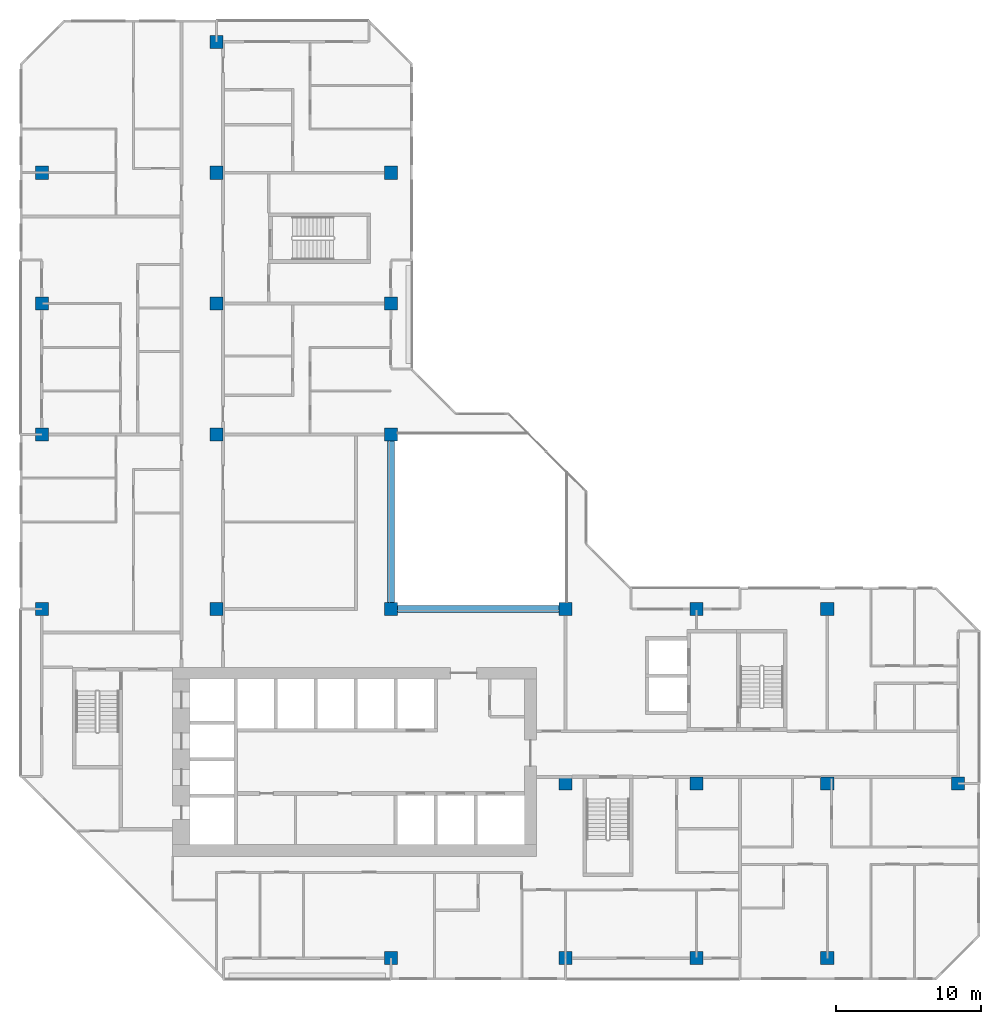
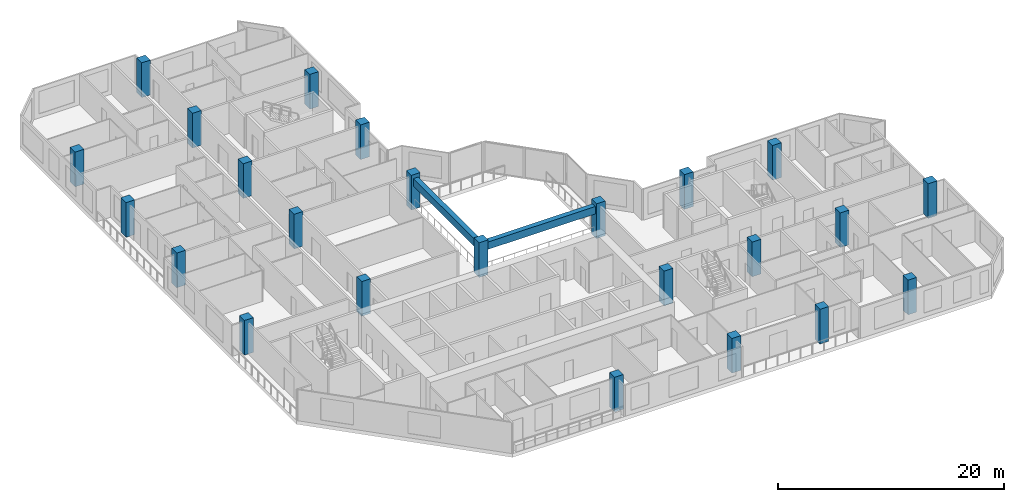
# One storey, part 1 of 14: 24 columns, 2 beams.
"""IFC4 building model written with IfcOpenShell, lengths in metres."""

from ifc_helpers import new_model, si_unit, direction, frame, origin, origin_2d, place, context, subcontext, project, spatial, rectangle, extrude, material, material_profile, profile_set, type_object, element, save


model = new_model("IFC4")

# Units and contexts
model_context = context("Model", 3, precision=1e-05, world=origin(), true_north=direction((0.0, 1.0)))
body_context = subcontext(model_context, "Body", "Model", "MODEL_VIEW")
ifc_project = project(units=[si_unit("LENGTHUNIT", "METRE"), si_unit("AREAUNIT", "SQUARE_METRE"), si_unit("VOLUMEUNIT", "CUBIC_METRE"), si_unit("PLANEANGLEUNIT", "RADIAN"), si_unit("MASSUNIT", "GRAM", prefix="KILO")], contexts=[model_context])

# Site, building, storey
site_placement = place(None, origin())
site = spatial("IfcSite", under=ifc_project, at=site_placement, CompositionType="ELEMENT")
building_placement = place(site_placement, origin())
building = spatial("IfcBuilding", under=site, at=building_placement, Name="Chenar Terraces", CompositionType="ELEMENT")
storey_placement = place(building_placement, frame((0.0, 0.0, 168.64990234375)))
storey = spatial("IfcBuildingStorey", under=building, at=storey_placement, Name="L38", CompositionType="ELEMENT", Elevation=168.64990234375)

# Columns
ifc_material_1 = material(Name="Concrete C60/75", Category="concrete")
ifc_material_profile_1 = material_profile(ifc_material_1, rectangle(XDim=0.89990234375, YDim=0.89990234375, at=origin_2d()), Name="C 900 x 900")
ifc_profile_set_1 = profile_set([ifc_material_profile_1], Name="Concrete C60/75")
column_type = type_object("IfcColumnType", Name="Column C 900 x 900 Concrete C60/75", PredefinedType="COLUMN", material=ifc_profile_set_1)
column_1_placement = place(storey_placement, frame((0.0, 24.0, 0.0), z_axis=(0.0, 0.0, 1.0), x_axis=(1.0, 0.0, 0.0)))
element("IfcColumn", 1, at=column_1_placement, inside=storey, type_object=column_type, Name="Column 5/G L38", PredefinedType="COLUMN", context=body_context, shape_type="SweptSolid", body=[
    extrude(rectangle(XDim=0.89990234375, YDim=0.89990234375, at=origin_2d()), origin(), (0.0, 0.0, 1.0), 3.75),
])
column_2_placement = place(storey_placement, frame((0.0, 36.0, 0.0), z_axis=(0.0, 0.0, 1.0), x_axis=(1.0, 0.0, 0.0)))
element("IfcColumn", 2, at=column_2_placement, inside=storey, type_object=column_type, Name="Column 5/H L38", PredefinedType="COLUMN", context=body_context, shape_type="SweptSolid", body=[
    extrude(rectangle(XDim=0.89990234375, YDim=0.89990234375, at=origin_2d()), origin(), (0.0, 0.0, 1.0), 3.75),
])
for number, where, z_axis, x_axis, name in (
    (3, (0.0, 45.0, 0.0), (0.0, 0.0, 1.0), (1.0, 0.0, 0.0), "Column 5/J L38"),
    (4, (0.0, 54.0, 0.0), (0.0, 0.0, 1.0), (1.0, 0.0, 0.0), "Column 5/K L38"),
    (5, (12.0, 24.0, 0.0), (0.0, 0.0, 1.0), (1.0, 0.0, 0.0), "Column 6/G L38"),
    (6, (12.0, 36.0, 0.0), (0.0, 0.0, 1.0), (1.0, 0.0, 0.0), "Column 6/H L38"),
    (7, (12.0, 45.0, 0.0), (0.0, 0.0, 1.0), (1.0, 0.0, 0.0), "Column 6/J L38"),
    (8, (12.0, 54.0, 0.0), (0.0, 0.0, 1.0), (1.0, 0.0, 0.0), "Column 6/K L38"),
    (9, (12.0, 63.0, 0.0), (0.0, 0.0, 1.0), (1.0, 0.0, 0.0), "Column 6/L L38"),
    (10, (24.0, 0.0, 0.0), (0.0, 0.0, 1.0), (1.0, 0.0, 0.0), "Column 7/E L38"),
    (11, (24.0, 24.0, 0.0), (0.0, 0.0, 1.0), (1.0, 0.0, 0.0), "Column 7/G L38"),
    (12, (24.0, 36.0, 0.0), (0.0, 0.0, 1.0), (1.0, 0.0, 0.0), "Column 7/H L38"),
    (13, (24.0, 45.0, 0.0), (0.0, 0.0, 1.0), (1.0, 0.0, 0.0), "Column 7/J L38"),
    (14, (24.0, 54.0, 0.0), (0.0, 0.0, 1.0), (1.0, 0.0, 0.0), "Column 7/K L38"),
    (15, (36.0, 0.0, 0.0), (0.0, 0.0, 1.0), (1.0, 0.0, 0.0), "Column 8/E L38"),
    (16, (36.0, 12.0, 0.0), (0.0, 0.0, 1.0), (1.0, 0.0, 0.0), "Column 8/F L38"),
    (17, (36.0, 24.0, 0.0), (0.0, 0.0, 1.0), (1.0, 0.0, 0.0), "Column 8/G L38"),
    (18, (45.0, 0.0, 0.0), (0.0, 0.0, 1.0), (1.0, 0.0, 0.0), "Column 9/E L38"),
    (19, (45.0, 12.0, 0.0), (0.0, 0.0, 1.0), (1.0, 0.0, 0.0), "Column 9/F L38"),
    (20, (45.0, 24.0, 0.0), (0.0, 0.0, 1.0), (1.0, 0.0, 0.0), "Column 9/G L38"),
    (21, (54.0, 0.0, 0.0), (0.0, 0.0, 1.0), (1.0, 0.0, 0.0), "Column 10/E L38"),
    (22, (54.0, 12.0, 0.0), (0.0, 0.0, 1.0), (1.0, 0.0, 0.0), "Column 10/F L38"),
    (23, (54.0, 24.0, 0.0), (0.0, 0.0, 1.0), (1.0, 0.0, 0.0), "Column 10/G L38"),
    (24, (63.0, 12.0, 0.0), (0.0, 0.0, 1.0), (1.0, 0.0, 0.0), "Column 11/F L38"),
):
    element("IfcColumn", number, at=place(storey_placement, frame(where, z_axis=z_axis, x_axis=x_axis)), inside=storey, type_object=column_type, Name=name, PredefinedType="COLUMN", context=body_context, shape_type="SweptSolid", body=[
        extrude(rectangle(XDim=0.89990234375, YDim=0.89990234375, at=origin_2d()), origin(), (0.0, 0.0, 1.0), 3.75),
    ])

# Beams
ifc_material_2 = material(Name="Concrete C40/50", Category="concrete")
ifc_material_profile_2 = material_profile(ifc_material_2, rectangle(XDim=0.5, YDim=0.800048828125, at=origin_2d()), Name="RC 500 x 800")
ifc_profile_set_2 = profile_set([ifc_material_profile_2], Name="Concrete C40/50")
beam_type = type_object("IfcBeamType", Name="Atrium edge beam 500 x 800 Concrete C40/50", PredefinedType="BEAM", material=ifc_profile_set_2)
for number, where, z_axis, x_axis, name in (
    (25, (24.449951171875, 24.0, 2.9501953125), (1.0, 0.0, 0.0), (0.0, 1.0, 0.0), "Atrium edge beam L39 1"),
    (26, (24.0, 35.550048828125, 2.9501953125), (0.0, -1.0, 0.0), (1.0, 0.0, 0.0), "Atrium edge beam L39 4"),
):
    element("IfcBeam", number, at=place(storey_placement, frame(where, z_axis=z_axis, x_axis=x_axis)), inside=storey, type_object=beam_type, Name=name, PredefinedType="BEAM", context=body_context, shape_type="SweptSolid", body=[
        extrude(rectangle(XDim=0.5, YDim=0.800048828125, at=origin_2d()), origin(), (0.0, 0.0, 1.0), 11.10009765625),
    ])

save(model, "model.ifc")
